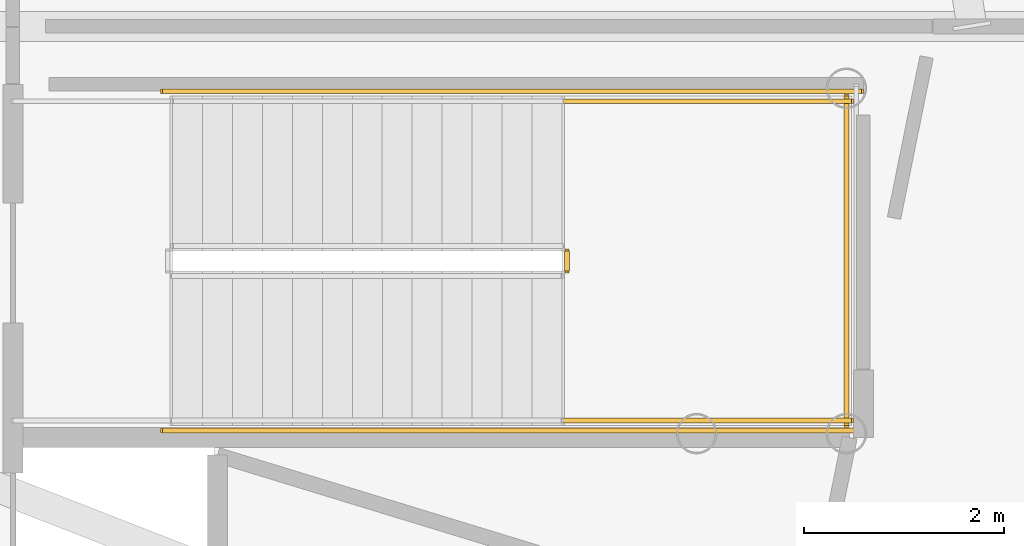
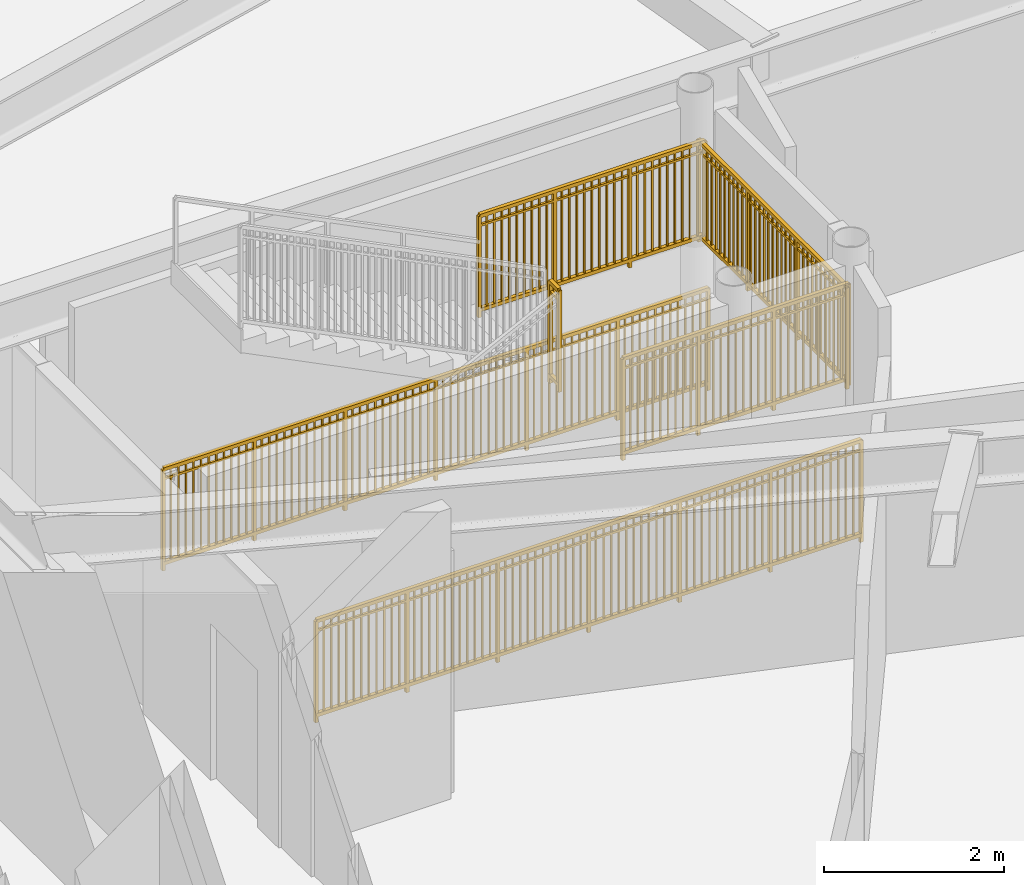
# One storey, part 34 of 35: 6 railings.
"""IFC4 building model written with IfcOpenShell, lengths in metres."""

from ifc_helpers import new_model, si_unit, direction, frame, origin, origin_2d, place, context, subcontext, project, spatial, rectangle, extrude, source, transform, mapped, material, type_object, element, save


model = new_model("IFC4")

# Units and contexts
model_context = context("Model", 3, precision=1e-05, world=origin(), true_north=direction((0.0, 1.0)))
body_context = subcontext(model_context, "Body", "Model", "MODEL_VIEW")
ifc_project = project(units=[si_unit("LENGTHUNIT", "METRE"), si_unit("AREAUNIT", "SQUARE_METRE"), si_unit("VOLUMEUNIT", "CUBIC_METRE"), si_unit("PLANEANGLEUNIT", "RADIAN"), si_unit("MASSUNIT", "GRAM", prefix="KILO")], contexts=[model_context])

# Site, building, storey
site_placement = place(None, origin())
site = spatial("IfcSite", under=ifc_project, at=site_placement, CompositionType="ELEMENT")
building_placement = place(site_placement, origin())
building = spatial("IfcBuilding", under=site, at=building_placement, Name="Linh Dai School and Residence Tower", CompositionType="ELEMENT")
storey_placement = place(building_placement, frame((0.0, 0.0, 49.199951171875)))
storey = spatial("IfcBuildingStorey", under=building, at=storey_placement, Name="L11", CompositionType="ELEMENT", Elevation=49.199951171875)

# Railings
ifc_material = material(Name="Structural Steel S355JR", Category="steel")
railing_type = type_object("IfcRailingType", Name="RL-ST-GUARD-1400", PredefinedType="GUARDRAIL", material=ifc_material)
shared_shape_1 = source(origin(), body_context, "Body", "SweptSolid", [
    extrude(rectangle(XDim=0.048095703125, YDim=0.048095703125, at=origin_2d()), frame((0.0, 0.0, 1.3759765625), z_axis=(0.0, 1.0, 0.0), x_axis=(-1.0, 0.0, 0.0)), (0.0, 0.0, 1.0), 0.199951171875),
    extrude(rectangle(XDim=0.048095703125, YDim=0.048095703125, at=origin_2d()), frame((0.0, 0.0, 0.10009765625), z_axis=(0.0, 1.0, 0.0), x_axis=(-1.0, 0.0, 0.0)), (0.0, 0.0, 1.0), 0.199951171875),
    extrude(rectangle(XDim=0.030029296875, YDim=0.030029296875, at=origin_2d()), frame((0.0, 0.0, 1.239990234375), z_axis=(0.0, 1.0, 0.0), x_axis=(-1.0, 0.0, 0.0)), (0.0, 0.0, 1.0), 0.199951171875),
    extrude(rectangle(XDim=0.0419921875, YDim=0.0419921875, at=origin_2d()), origin(), (0.0, 0.0, 1.0), 1.3759765625),
    extrude(rectangle(XDim=0.0419921875, YDim=0.0419921875, at=origin_2d()), frame((0.0, 0.199951171875, 0.0)), (0.0, 0.0, 1.0), 1.3759765625),
])
railing_1_placement = place(storey_placement, frame((53.550048828125, 24.550048828125, 2.10009765625)))
element("IfcRailing", 1, at=railing_1_placement, inside=storey, type_object=railing_type, Name="L11 STS2 stair guard 2", PredefinedType="GUARDRAIL", context=body_context, shape_type="MappedRepresentation", body=[
    mapped(shared_shape_1, transform((0.0, 0.0, 0.0), x_axis=(1.0, 0.0, 0.0), y_axis=(0.0, 1.0, 0.0), z_axis=(0.0, 0.0, 1.0), scale=1.0)),
])
shared_shape_2 = source(origin(), body_context, "Body", "SweptSolid", [
    extrude(rectangle(XDim=0.048095703125, YDim=0.048095703125, at=origin_2d()), frame((0.0, 0.0, 1.3759765625), z_axis=(0.0, 1.0, 0.0), x_axis=(-1.0, 0.0, 0.0)), (0.0, 0.0, 1.0), 3.300048828125),
    extrude(rectangle(XDim=0.048095703125, YDim=0.048095703125, at=origin_2d()), frame((0.0, 0.0, 0.10009765625), z_axis=(0.0, 1.0, 0.0), x_axis=(-1.0, 0.0, 0.0)), (0.0, 0.0, 1.0), 3.300048828125),
    extrude(rectangle(XDim=0.030029296875, YDim=0.030029296875, at=origin_2d()), frame((0.0, 0.0, 1.239990234375), z_axis=(0.0, 1.0, 0.0), x_axis=(-1.0, 0.0, 0.0)), (0.0, 0.0, 1.0), 3.300048828125),
    extrude(rectangle(XDim=0.02001953125, YDim=0.02001953125, at=origin_2d()), frame((0.0, 0.09716796875, 0.10009765625)), (0.0, 0.0, 1.0), 1.251708984375),
    extrude(rectangle(XDim=0.02001953125, YDim=0.02001953125, at=origin_2d()), frame((0.0, 0.194091796875, 0.10009765625)), (0.0, 0.0, 1.0), 1.251708984375),
    extrude(rectangle(XDim=0.02001953125, YDim=0.02001953125, at=origin_2d()), frame((0.0, 0.291259765625, 0.10009765625)), (0.0, 0.0, 1.0), 1.251708984375),
    extrude(rectangle(XDim=0.02001953125, YDim=0.02001953125, at=origin_2d()), frame((0.0, 0.38818359375, 0.10009765625)), (0.0, 0.0, 1.0), 1.251708984375),
    extrude(rectangle(XDim=0.02001953125, YDim=0.02001953125, at=origin_2d()), frame((0.0, 0.4853515625, 0.10009765625)), (0.0, 0.0, 1.0), 1.251708984375),
    extrude(rectangle(XDim=0.02001953125, YDim=0.02001953125, at=origin_2d()), frame((0.0, 0.582275390625, 0.10009765625)), (0.0, 0.0, 1.0), 1.251708984375),
    extrude(rectangle(XDim=0.02001953125, YDim=0.02001953125, at=origin_2d()), frame((0.0, 0.679443359375, 0.10009765625)), (0.0, 0.0, 1.0), 1.251708984375),
    extrude(rectangle(XDim=0.02001953125, YDim=0.02001953125, at=origin_2d()), frame((0.0, 0.7763671875, 0.10009765625)), (0.0, 0.0, 1.0), 1.251708984375),
    extrude(rectangle(XDim=0.02001953125, YDim=0.02001953125, at=origin_2d()), frame((0.0, 0.87353515625, 0.10009765625)), (0.0, 0.0, 1.0), 1.251708984375),
    extrude(rectangle(XDim=0.02001953125, YDim=0.02001953125, at=origin_2d()), frame((0.0, 0.970703125, 0.10009765625)), (0.0, 0.0, 1.0), 1.251708984375),
    extrude(rectangle(XDim=0.02001953125, YDim=0.02001953125, at=origin_2d()), frame((0.0, 1.164794921875, 0.10009765625)), (0.0, 0.0, 1.0), 1.251708984375),
    extrude(rectangle(XDim=0.02001953125, YDim=0.02001953125, at=origin_2d()), frame((0.0, 1.26171875, 0.10009765625)), (0.0, 0.0, 1.0), 1.251708984375),
    extrude(rectangle(XDim=0.02001953125, YDim=0.02001953125, at=origin_2d()), frame((0.0, 1.35888671875, 0.10009765625)), (0.0, 0.0, 1.0), 1.251708984375),
    extrude(rectangle(XDim=0.02001953125, YDim=0.02001953125, at=origin_2d()), frame((0.0, 1.455810546875, 0.10009765625)), (0.0, 0.0, 1.0), 1.251708984375),
    extrude(rectangle(XDim=0.02001953125, YDim=0.02001953125, at=origin_2d()), frame((0.0, 1.552978515625, 0.10009765625)), (0.0, 0.0, 1.0), 1.251708984375),
    extrude(rectangle(XDim=0.02001953125, YDim=0.02001953125, at=origin_2d()), frame((0.0, 1.64990234375, 0.10009765625)), (0.0, 0.0, 1.0), 1.251708984375),
    extrude(rectangle(XDim=0.02001953125, YDim=0.02001953125, at=origin_2d()), frame((0.0, 1.7470703125, 0.10009765625)), (0.0, 0.0, 1.0), 1.251708984375),
    extrude(rectangle(XDim=0.02001953125, YDim=0.02001953125, at=origin_2d()), frame((0.0, 1.84423828125, 0.10009765625)), (0.0, 0.0, 1.0), 1.251708984375),
    extrude(rectangle(XDim=0.02001953125, YDim=0.02001953125, at=origin_2d()), frame((0.0, 1.941162109375, 0.10009765625)), (0.0, 0.0, 1.0), 1.251708984375),
    extrude(rectangle(XDim=0.02001953125, YDim=0.02001953125, at=origin_2d()), frame((0.0, 2.038330078125, 0.10009765625)), (0.0, 0.0, 1.0), 1.251708984375),
    extrude(rectangle(XDim=0.02001953125, YDim=0.02001953125, at=origin_2d()), frame((0.0, 2.13525390625, 0.10009765625)), (0.0, 0.0, 1.0), 1.251708984375),
    extrude(rectangle(XDim=0.02001953125, YDim=0.02001953125, at=origin_2d()), frame((0.0, 2.329345703125, 0.10009765625)), (0.0, 0.0, 1.0), 1.251708984375),
    extrude(rectangle(XDim=0.02001953125, YDim=0.02001953125, at=origin_2d()), frame((0.0, 2.426513671875, 0.10009765625)), (0.0, 0.0, 1.0), 1.251708984375),
    extrude(rectangle(XDim=0.02001953125, YDim=0.02001953125, at=origin_2d()), frame((0.0, 2.523681640625, 0.10009765625)), (0.0, 0.0, 1.0), 1.251708984375),
    extrude(rectangle(XDim=0.02001953125, YDim=0.02001953125, at=origin_2d()), frame((0.0, 2.62060546875, 0.10009765625)), (0.0, 0.0, 1.0), 1.251708984375),
    extrude(rectangle(XDim=0.02001953125, YDim=0.02001953125, at=origin_2d()), frame((0.0, 2.7177734375, 0.10009765625)), (0.0, 0.0, 1.0), 1.251708984375),
    extrude(rectangle(XDim=0.02001953125, YDim=0.02001953125, at=origin_2d()), frame((0.0, 2.814697265625, 0.10009765625)), (0.0, 0.0, 1.0), 1.251708984375),
    extrude(rectangle(XDim=0.02001953125, YDim=0.02001953125, at=origin_2d()), frame((0.0, 2.911865234375, 0.10009765625)), (0.0, 0.0, 1.0), 1.251708984375),
    extrude(rectangle(XDim=0.02001953125, YDim=0.02001953125, at=origin_2d()), frame((0.0, 3.0087890625, 0.10009765625)), (0.0, 0.0, 1.0), 1.251708984375),
    extrude(rectangle(XDim=0.02001953125, YDim=0.02001953125, at=origin_2d()), frame((0.0, 3.10595703125, 0.10009765625)), (0.0, 0.0, 1.0), 1.251708984375),
    extrude(rectangle(XDim=0.02001953125, YDim=0.02001953125, at=origin_2d()), frame((0.0, 3.202880859375, 0.10009765625)), (0.0, 0.0, 1.0), 1.251708984375),
    extrude(rectangle(XDim=0.0419921875, YDim=0.0419921875, at=origin_2d()), origin(), (0.0, 0.0, 1.0), 1.3759765625),
    extrude(rectangle(XDim=0.0419921875, YDim=0.0419921875, at=origin_2d()), frame((0.0, 1.10009765625, 0.0)), (0.0, 0.0, 1.0), 1.3759765625),
    extrude(rectangle(XDim=0.0419921875, YDim=0.0419921875, at=origin_2d()), frame((0.0, 2.199951171875, 0.0)), (0.0, 0.0, 1.0), 1.3759765625),
    extrude(rectangle(XDim=0.0419921875, YDim=0.0419921875, at=origin_2d()), frame((0.0, 3.300048828125, 0.0)), (0.0, 0.0, 1.0), 1.3759765625),
])
railing_2_placement = place(storey_placement, frame((56.35009765625, 23.0, 2.10009765625)))
element("IfcRailing", 2, at=railing_2_placement, inside=storey, type_object=railing_type, Name="L11 STS2 stair guard 5", PredefinedType="GUARDRAIL", context=body_context, shape_type="MappedRepresentation", body=[
    mapped(shared_shape_2, transform((0.0, 0.0, 0.0), x_axis=(1.0, 0.0, 0.0), y_axis=(0.0, 1.0, 0.0), z_axis=(0.0, 0.0, 1.0), scale=1.0)),
])
shared_shape_3 = source(origin(), body_context, "Body", "SweptSolid", [
    extrude(rectangle(XDim=0.048095703125, YDim=0.048095703125, at=origin_2d()), frame((0.0, 0.0, 1.3759765625), z_axis=(1.0, 0.0, 0.0), x_axis=(0.0, 1.0, 0.0)), (0.0, 0.0, 1.0), 2.89990234375),
    extrude(rectangle(XDim=0.048095703125, YDim=0.048095703125, at=origin_2d()), frame((0.0, 0.0, 0.10009765625), z_axis=(1.0, 0.0, 0.0), x_axis=(0.0, 1.0, 0.0)), (0.0, 0.0, 1.0), 2.89990234375),
    extrude(rectangle(XDim=0.030029296875, YDim=0.030029296875, at=origin_2d()), frame((0.0, 0.0, 1.239990234375), z_axis=(1.0, 0.0, 0.0), x_axis=(0.0, 1.0, 0.0)), (0.0, 0.0, 1.0), 2.89990234375),
    extrude(rectangle(XDim=0.02001953125, YDim=0.02001953125, at=origin_2d()), frame((0.0966796875, 0.0, 0.10009765625)), (0.0, 0.0, 1.0), 1.251708984375),
    extrude(rectangle(XDim=0.02001953125, YDim=0.02001953125, at=origin_2d()), frame((0.193359375, 0.0, 0.10009765625)), (0.0, 0.0, 1.0), 1.251708984375),
    extrude(rectangle(XDim=0.02001953125, YDim=0.02001953125, at=origin_2d()), frame((0.2900390625, 0.0, 0.10009765625)), (0.0, 0.0, 1.0), 1.251708984375),
    extrude(rectangle(XDim=0.02001953125, YDim=0.02001953125, at=origin_2d()), frame((0.38671875, 0.0, 0.10009765625)), (0.0, 0.0, 1.0), 1.251708984375),
    extrude(rectangle(XDim=0.02001953125, YDim=0.02001953125, at=origin_2d()), frame((0.4833984375, 0.0, 0.10009765625)), (0.0, 0.0, 1.0), 1.251708984375),
    extrude(rectangle(XDim=0.02001953125, YDim=0.02001953125, at=origin_2d()), frame((0.580078125, 0.0, 0.10009765625)), (0.0, 0.0, 1.0), 1.251708984375),
    extrude(rectangle(XDim=0.02001953125, YDim=0.02001953125, at=origin_2d()), frame((0.6767578125, 0.0, 0.10009765625)), (0.0, 0.0, 1.0), 1.251708984375),
    extrude(rectangle(XDim=0.02001953125, YDim=0.02001953125, at=origin_2d()), frame((0.773193359375, 0.0, 0.10009765625)), (0.0, 0.0, 1.0), 1.251708984375),
    extrude(rectangle(XDim=0.02001953125, YDim=0.02001953125, at=origin_2d()), frame((0.869873046875, 0.0, 0.10009765625)), (0.0, 0.0, 1.0), 1.251708984375),
    extrude(rectangle(XDim=0.02001953125, YDim=0.02001953125, at=origin_2d()), frame((1.063232421875, 0.0, 0.10009765625)), (0.0, 0.0, 1.0), 1.251708984375),
    extrude(rectangle(XDim=0.02001953125, YDim=0.02001953125, at=origin_2d()), frame((1.159912109375, 0.0, 0.10009765625)), (0.0, 0.0, 1.0), 1.251708984375),
    extrude(rectangle(XDim=0.02001953125, YDim=0.02001953125, at=origin_2d()), frame((1.256591796875, 0.0, 0.10009765625)), (0.0, 0.0, 1.0), 1.251708984375),
    extrude(rectangle(XDim=0.02001953125, YDim=0.02001953125, at=origin_2d()), frame((1.353271484375, 0.0, 0.10009765625)), (0.0, 0.0, 1.0), 1.251708984375),
    extrude(rectangle(XDim=0.02001953125, YDim=0.02001953125, at=origin_2d()), frame((1.449951171875, 0.0, 0.10009765625)), (0.0, 0.0, 1.0), 1.251708984375),
    extrude(rectangle(XDim=0.02001953125, YDim=0.02001953125, at=origin_2d()), frame((1.546630859375, 0.0, 0.10009765625)), (0.0, 0.0, 1.0), 1.251708984375),
    extrude(rectangle(XDim=0.02001953125, YDim=0.02001953125, at=origin_2d()), frame((1.643310546875, 0.0, 0.10009765625)), (0.0, 0.0, 1.0), 1.251708984375),
    extrude(rectangle(XDim=0.02001953125, YDim=0.02001953125, at=origin_2d()), frame((1.739990234375, 0.0, 0.10009765625)), (0.0, 0.0, 1.0), 1.251708984375),
    extrude(rectangle(XDim=0.02001953125, YDim=0.02001953125, at=origin_2d()), frame((1.836669921875, 0.0, 0.10009765625)), (0.0, 0.0, 1.0), 1.251708984375),
    extrude(rectangle(XDim=0.02001953125, YDim=0.02001953125, at=origin_2d()), frame((2.030029296875, 0.0, 0.10009765625)), (0.0, 0.0, 1.0), 1.251708984375),
    extrude(rectangle(XDim=0.02001953125, YDim=0.02001953125, at=origin_2d()), frame((2.126708984375, 0.0, 0.10009765625)), (0.0, 0.0, 1.0), 1.251708984375),
    extrude(rectangle(XDim=0.02001953125, YDim=0.02001953125, at=origin_2d()), frame((2.22314453125, 0.0, 0.10009765625)), (0.0, 0.0, 1.0), 1.251708984375),
    extrude(rectangle(XDim=0.02001953125, YDim=0.02001953125, at=origin_2d()), frame((2.31982421875, 0.0, 0.10009765625)), (0.0, 0.0, 1.0), 1.251708984375),
    extrude(rectangle(XDim=0.02001953125, YDim=0.02001953125, at=origin_2d()), frame((2.41650390625, 0.0, 0.10009765625)), (0.0, 0.0, 1.0), 1.251708984375),
    extrude(rectangle(XDim=0.02001953125, YDim=0.02001953125, at=origin_2d()), frame((2.51318359375, 0.0, 0.10009765625)), (0.0, 0.0, 1.0), 1.251708984375),
    extrude(rectangle(XDim=0.02001953125, YDim=0.02001953125, at=origin_2d()), frame((2.60986328125, 0.0, 0.10009765625)), (0.0, 0.0, 1.0), 1.251708984375),
    extrude(rectangle(XDim=0.02001953125, YDim=0.02001953125, at=origin_2d()), frame((2.70654296875, 0.0, 0.10009765625)), (0.0, 0.0, 1.0), 1.251708984375),
    extrude(rectangle(XDim=0.02001953125, YDim=0.02001953125, at=origin_2d()), frame((2.80322265625, 0.0, 0.10009765625)), (0.0, 0.0, 1.0), 1.251708984375),
    extrude(rectangle(XDim=0.0419921875, YDim=0.0419921875, at=origin_2d()), origin(), (0.0, 0.0, 1.0), 1.3759765625),
    extrude(rectangle(XDim=0.0419921875, YDim=0.0419921875, at=origin_2d()), frame((0.966552734375, 0.0, 0.0)), (0.0, 0.0, 1.0), 1.3759765625),
    extrude(rectangle(XDim=0.0419921875, YDim=0.0419921875, at=origin_2d()), frame((1.933349609375, 0.0, 0.0)), (0.0, 0.0, 1.0), 1.3759765625),
    extrude(rectangle(XDim=0.0419921875, YDim=0.0419921875, at=origin_2d()), frame((2.89990234375, 0.0, 0.0)), (0.0, 0.0, 1.0), 1.3759765625),
])
for number, where, name in (
    (3, (53.5, 23.050048828125, 2.10009765625), "L11 STS2 stair guard 3"),
    (4, (53.5, 26.25, 2.10009765625), "L11 STS2 stair guard 4"),
):
    element("IfcRailing", number, at=place(storey_placement, frame(where)), inside=storey, type_object=railing_type, Name=name, PredefinedType="GUARDRAIL", context=body_context, shape_type="MappedRepresentation", body=[
        mapped(shared_shape_3, transform((0.0, 0.0, 0.0), x_axis=(1.0, 0.0, 0.0), y_axis=(0.0, 1.0, 0.0), z_axis=(0.0, 0.0, 1.0), scale=1.0)),
    ])
shared_shape_4 = source(origin(), body_context, "Body", "SweptSolid", [
    extrude(rectangle(XDim=0.048095703125, YDim=0.048095703125, at=origin_2d()), frame((0.0, 0.0, 1.3759765625), z_axis=(1.0, 0.0, 0.0), x_axis=(0.0, 1.0, 0.0)), (0.0, 0.0, 1.0), 7.0),
    extrude(rectangle(XDim=0.048095703125, YDim=0.048095703125, at=origin_2d()), frame((0.0, 0.0, 0.10009765625), z_axis=(1.0, 0.0, 0.0), x_axis=(0.0, 1.0, 0.0)), (0.0, 0.0, 1.0), 7.0),
    extrude(rectangle(XDim=0.030029296875, YDim=0.030029296875, at=origin_2d()), frame((0.0, 0.0, 1.239990234375), z_axis=(1.0, 0.0, 0.0), x_axis=(0.0, 1.0, 0.0)), (0.0, 0.0, 1.0), 7.0),
    extrude(rectangle(XDim=0.02001953125, YDim=0.02001953125, at=origin_2d()), frame((0.09716796875, 0.0, 0.10009765625)), (0.0, 0.0, 1.0), 1.251708984375),
    extrude(rectangle(XDim=0.02001953125, YDim=0.02001953125, at=origin_2d()), frame((0.1943359375, 0.0, 0.10009765625)), (0.0, 0.0, 1.0), 1.251708984375),
    extrude(rectangle(XDim=0.02001953125, YDim=0.02001953125, at=origin_2d()), frame((0.291748046875, 0.0, 0.10009765625)), (0.0, 0.0, 1.0), 1.251708984375),
    extrude(rectangle(XDim=0.02001953125, YDim=0.02001953125, at=origin_2d()), frame((0.388916015625, 0.0, 0.10009765625)), (0.0, 0.0, 1.0), 1.251708984375),
    extrude(rectangle(XDim=0.02001953125, YDim=0.02001953125, at=origin_2d()), frame((0.486083984375, 0.0, 0.10009765625)), (0.0, 0.0, 1.0), 1.251708984375),
    extrude(rectangle(XDim=0.02001953125, YDim=0.02001953125, at=origin_2d()), frame((0.583251953125, 0.0, 0.10009765625)), (0.0, 0.0, 1.0), 1.251708984375),
    extrude(rectangle(XDim=0.02001953125, YDim=0.02001953125, at=origin_2d()), frame((0.6806640625, 0.0, 0.10009765625)), (0.0, 0.0, 1.0), 1.251708984375),
    extrude(rectangle(XDim=0.02001953125, YDim=0.02001953125, at=origin_2d()), frame((0.77783203125, 0.0, 0.10009765625)), (0.0, 0.0, 1.0), 1.251708984375),
    extrude(rectangle(XDim=0.02001953125, YDim=0.02001953125, at=origin_2d()), frame((0.875, 0.0, 0.10009765625)), (0.0, 0.0, 1.0), 1.251708984375),
    extrude(rectangle(XDim=0.02001953125, YDim=0.02001953125, at=origin_2d()), frame((0.97216796875, 0.0, 0.10009765625)), (0.0, 0.0, 1.0), 1.251708984375),
    extrude(rectangle(XDim=0.02001953125, YDim=0.02001953125, at=origin_2d()), frame((1.0693359375, 0.0, 0.10009765625)), (0.0, 0.0, 1.0), 1.251708984375),
    extrude(rectangle(XDim=0.02001953125, YDim=0.02001953125, at=origin_2d()), frame((1.263916015625, 0.0, 0.10009765625)), (0.0, 0.0, 1.0), 1.251708984375),
    extrude(rectangle(XDim=0.02001953125, YDim=0.02001953125, at=origin_2d()), frame((1.361083984375, 0.0, 0.10009765625)), (0.0, 0.0, 1.0), 1.251708984375),
    extrude(rectangle(XDim=0.02001953125, YDim=0.02001953125, at=origin_2d()), frame((1.458251953125, 0.0, 0.10009765625)), (0.0, 0.0, 1.0), 1.251708984375),
    extrude(rectangle(XDim=0.02001953125, YDim=0.02001953125, at=origin_2d()), frame((1.5556640625, 0.0, 0.10009765625)), (0.0, 0.0, 1.0), 1.251708984375),
    extrude(rectangle(XDim=0.02001953125, YDim=0.02001953125, at=origin_2d()), frame((1.65283203125, 0.0, 0.10009765625)), (0.0, 0.0, 1.0), 1.251708984375),
    extrude(rectangle(XDim=0.02001953125, YDim=0.02001953125, at=origin_2d()), frame((1.75, 0.0, 0.10009765625)), (0.0, 0.0, 1.0), 1.251708984375),
    extrude(rectangle(XDim=0.02001953125, YDim=0.02001953125, at=origin_2d()), frame((1.84716796875, 0.0, 0.10009765625)), (0.0, 0.0, 1.0), 1.251708984375),
    extrude(rectangle(XDim=0.02001953125, YDim=0.02001953125, at=origin_2d()), frame((1.9443359375, 0.0, 0.10009765625)), (0.0, 0.0, 1.0), 1.251708984375),
    extrude(rectangle(XDim=0.02001953125, YDim=0.02001953125, at=origin_2d()), frame((2.041748046875, 0.0, 0.10009765625)), (0.0, 0.0, 1.0), 1.251708984375),
    extrude(rectangle(XDim=0.02001953125, YDim=0.02001953125, at=origin_2d()), frame((2.138916015625, 0.0, 0.10009765625)), (0.0, 0.0, 1.0), 1.251708984375),
    extrude(rectangle(XDim=0.02001953125, YDim=0.02001953125, at=origin_2d()), frame((2.236083984375, 0.0, 0.10009765625)), (0.0, 0.0, 1.0), 1.251708984375),
    extrude(rectangle(XDim=0.02001953125, YDim=0.02001953125, at=origin_2d()), frame((2.4306640625, 0.0, 0.10009765625)), (0.0, 0.0, 1.0), 1.251708984375),
    extrude(rectangle(XDim=0.02001953125, YDim=0.02001953125, at=origin_2d()), frame((2.52783203125, 0.0, 0.10009765625)), (0.0, 0.0, 1.0), 1.251708984375),
    extrude(rectangle(XDim=0.02001953125, YDim=0.02001953125, at=origin_2d()), frame((2.625, 0.0, 0.10009765625)), (0.0, 0.0, 1.0), 1.251708984375),
    extrude(rectangle(XDim=0.02001953125, YDim=0.02001953125, at=origin_2d()), frame((2.72216796875, 0.0, 0.10009765625)), (0.0, 0.0, 1.0), 1.251708984375),
    extrude(rectangle(XDim=0.02001953125, YDim=0.02001953125, at=origin_2d()), frame((2.8193359375, 0.0, 0.10009765625)), (0.0, 0.0, 1.0), 1.251708984375),
    extrude(rectangle(XDim=0.02001953125, YDim=0.02001953125, at=origin_2d()), frame((2.916748046875, 0.0, 0.10009765625)), (0.0, 0.0, 1.0), 1.251708984375),
    extrude(rectangle(XDim=0.02001953125, YDim=0.02001953125, at=origin_2d()), frame((3.013916015625, 0.0, 0.10009765625)), (0.0, 0.0, 1.0), 1.251708984375),
    extrude(rectangle(XDim=0.02001953125, YDim=0.02001953125, at=origin_2d()), frame((3.111083984375, 0.0, 0.10009765625)), (0.0, 0.0, 1.0), 1.251708984375),
    extrude(rectangle(XDim=0.02001953125, YDim=0.02001953125, at=origin_2d()), frame((3.208251953125, 0.0, 0.10009765625)), (0.0, 0.0, 1.0), 1.251708984375),
    extrude(rectangle(XDim=0.02001953125, YDim=0.02001953125, at=origin_2d()), frame((3.3056640625, 0.0, 0.10009765625)), (0.0, 0.0, 1.0), 1.251708984375),
    extrude(rectangle(XDim=0.02001953125, YDim=0.02001953125, at=origin_2d()), frame((3.40283203125, 0.0, 0.10009765625)), (0.0, 0.0, 1.0), 1.251708984375),
    extrude(rectangle(XDim=0.02001953125, YDim=0.02001953125, at=origin_2d()), frame((3.59716796875, 0.0, 0.10009765625)), (0.0, 0.0, 1.0), 1.251708984375),
    extrude(rectangle(XDim=0.02001953125, YDim=0.02001953125, at=origin_2d()), frame((3.6943359375, 0.0, 0.10009765625)), (0.0, 0.0, 1.0), 1.251708984375),
    extrude(rectangle(XDim=0.02001953125, YDim=0.02001953125, at=origin_2d()), frame((3.791748046875, 0.0, 0.10009765625)), (0.0, 0.0, 1.0), 1.251708984375),
    extrude(rectangle(XDim=0.02001953125, YDim=0.02001953125, at=origin_2d()), frame((3.888916015625, 0.0, 0.10009765625)), (0.0, 0.0, 1.0), 1.251708984375),
    extrude(rectangle(XDim=0.02001953125, YDim=0.02001953125, at=origin_2d()), frame((3.986083984375, 0.0, 0.10009765625)), (0.0, 0.0, 1.0), 1.251708984375),
    extrude(rectangle(XDim=0.02001953125, YDim=0.02001953125, at=origin_2d()), frame((4.083251953125, 0.0, 0.10009765625)), (0.0, 0.0, 1.0), 1.251708984375),
    extrude(rectangle(XDim=0.02001953125, YDim=0.02001953125, at=origin_2d()), frame((4.1806640625, 0.0, 0.10009765625)), (0.0, 0.0, 1.0), 1.251708984375),
    extrude(rectangle(XDim=0.02001953125, YDim=0.02001953125, at=origin_2d()), frame((4.27783203125, 0.0, 0.10009765625)), (0.0, 0.0, 1.0), 1.251708984375),
    extrude(rectangle(XDim=0.02001953125, YDim=0.02001953125, at=origin_2d()), frame((4.375, 0.0, 0.10009765625)), (0.0, 0.0, 1.0), 1.251708984375),
    extrude(rectangle(XDim=0.02001953125, YDim=0.02001953125, at=origin_2d()), frame((4.47216796875, 0.0, 0.10009765625)), (0.0, 0.0, 1.0), 1.251708984375),
    extrude(rectangle(XDim=0.02001953125, YDim=0.02001953125, at=origin_2d()), frame((4.5693359375, 0.0, 0.10009765625)), (0.0, 0.0, 1.0), 1.251708984375),
    extrude(rectangle(XDim=0.02001953125, YDim=0.02001953125, at=origin_2d()), frame((4.763916015625, 0.0, 0.10009765625)), (0.0, 0.0, 1.0), 1.251708984375),
    extrude(rectangle(XDim=0.02001953125, YDim=0.02001953125, at=origin_2d()), frame((4.861083984375, 0.0, 0.10009765625)), (0.0, 0.0, 1.0), 1.251708984375),
    extrude(rectangle(XDim=0.02001953125, YDim=0.02001953125, at=origin_2d()), frame((4.958251953125, 0.0, 0.10009765625)), (0.0, 0.0, 1.0), 1.251708984375),
    extrude(rectangle(XDim=0.02001953125, YDim=0.02001953125, at=origin_2d()), frame((5.0556640625, 0.0, 0.10009765625)), (0.0, 0.0, 1.0), 1.251708984375),
    extrude(rectangle(XDim=0.02001953125, YDim=0.02001953125, at=origin_2d()), frame((5.15283203125, 0.0, 0.10009765625)), (0.0, 0.0, 1.0), 1.251708984375),
    extrude(rectangle(XDim=0.02001953125, YDim=0.02001953125, at=origin_2d()), frame((5.25, 0.0, 0.10009765625)), (0.0, 0.0, 1.0), 1.251708984375),
    extrude(rectangle(XDim=0.02001953125, YDim=0.02001953125, at=origin_2d()), frame((5.34716796875, 0.0, 0.10009765625)), (0.0, 0.0, 1.0), 1.251708984375),
    extrude(rectangle(XDim=0.02001953125, YDim=0.02001953125, at=origin_2d()), frame((5.4443359375, 0.0, 0.10009765625)), (0.0, 0.0, 1.0), 1.251708984375),
    extrude(rectangle(XDim=0.02001953125, YDim=0.02001953125, at=origin_2d()), frame((5.541748046875, 0.0, 0.10009765625)), (0.0, 0.0, 1.0), 1.251708984375),
    extrude(rectangle(XDim=0.02001953125, YDim=0.02001953125, at=origin_2d()), frame((5.638916015625, 0.0, 0.10009765625)), (0.0, 0.0, 1.0), 1.251708984375),
    extrude(rectangle(XDim=0.02001953125, YDim=0.02001953125, at=origin_2d()), frame((5.736083984375, 0.0, 0.10009765625)), (0.0, 0.0, 1.0), 1.251708984375),
    extrude(rectangle(XDim=0.02001953125, YDim=0.02001953125, at=origin_2d()), frame((5.9306640625, 0.0, 0.10009765625)), (0.0, 0.0, 1.0), 1.251708984375),
    extrude(rectangle(XDim=0.02001953125, YDim=0.02001953125, at=origin_2d()), frame((6.02783203125, 0.0, 0.10009765625)), (0.0, 0.0, 1.0), 1.251708984375),
    extrude(rectangle(XDim=0.02001953125, YDim=0.02001953125, at=origin_2d()), frame((6.125, 0.0, 0.10009765625)), (0.0, 0.0, 1.0), 1.251708984375),
    extrude(rectangle(XDim=0.02001953125, YDim=0.02001953125, at=origin_2d()), frame((6.22216796875, 0.0, 0.10009765625)), (0.0, 0.0, 1.0), 1.251708984375),
    extrude(rectangle(XDim=0.02001953125, YDim=0.02001953125, at=origin_2d()), frame((6.3193359375, 0.0, 0.10009765625)), (0.0, 0.0, 1.0), 1.251708984375),
    extrude(rectangle(XDim=0.02001953125, YDim=0.02001953125, at=origin_2d()), frame((6.416748046875, 0.0, 0.10009765625)), (0.0, 0.0, 1.0), 1.251708984375),
    extrude(rectangle(XDim=0.02001953125, YDim=0.02001953125, at=origin_2d()), frame((6.513916015625, 0.0, 0.10009765625)), (0.0, 0.0, 1.0), 1.251708984375),
    extrude(rectangle(XDim=0.02001953125, YDim=0.02001953125, at=origin_2d()), frame((6.611083984375, 0.0, 0.10009765625)), (0.0, 0.0, 1.0), 1.251708984375),
    extrude(rectangle(XDim=0.02001953125, YDim=0.02001953125, at=origin_2d()), frame((6.708251953125, 0.0, 0.10009765625)), (0.0, 0.0, 1.0), 1.251708984375),
    extrude(rectangle(XDim=0.02001953125, YDim=0.02001953125, at=origin_2d()), frame((6.8056640625, 0.0, 0.10009765625)), (0.0, 0.0, 1.0), 1.251708984375),
    extrude(rectangle(XDim=0.02001953125, YDim=0.02001953125, at=origin_2d()), frame((6.90283203125, 0.0, 0.10009765625)), (0.0, 0.0, 1.0), 1.251708984375),
    extrude(rectangle(XDim=0.0419921875, YDim=0.0419921875, at=origin_2d()), origin(), (0.0, 0.0, 1.0), 1.3759765625),
    extrude(rectangle(XDim=0.0419921875, YDim=0.0419921875, at=origin_2d()), frame((1.166748046875, 0.0, 0.0)), (0.0, 0.0, 1.0), 1.3759765625),
    extrude(rectangle(XDim=0.0419921875, YDim=0.0419921875, at=origin_2d()), frame((2.333251953125, 0.0, 0.0)), (0.0, 0.0, 1.0), 1.3759765625),
    extrude(rectangle(XDim=0.0419921875, YDim=0.0419921875, at=origin_2d()), frame((3.5, 0.0, 0.0)), (0.0, 0.0, 1.0), 1.3759765625),
    extrude(rectangle(XDim=0.0419921875, YDim=0.0419921875, at=origin_2d()), frame((4.666748046875, 0.0, 0.0)), (0.0, 0.0, 1.0), 1.3759765625),
    extrude(rectangle(XDim=0.0419921875, YDim=0.0419921875, at=origin_2d()), frame((5.833251953125, 0.0, 0.0)), (0.0, 0.0, 1.0), 1.3759765625),
    extrude(rectangle(XDim=0.0419921875, YDim=0.0419921875, at=origin_2d()), frame((7.0, 0.0, 0.0)), (0.0, 0.0, 1.0), 1.3759765625),
])
for number, where, name in (
    (5, (49.5, 22.949951171875, 0.0), "L11 STS2 stair guard 10"),
    (6, (49.5, 26.35009765625, 0.0), "L11 STS2 stair guard 11"),
):
    element("IfcRailing", number, at=place(storey_placement, frame(where)), inside=storey, type_object=railing_type, Name=name, PredefinedType="GUARDRAIL", context=body_context, shape_type="MappedRepresentation", body=[
        mapped(shared_shape_4, transform((0.0, 0.0, 0.0), x_axis=(1.0, 0.0, 0.0), y_axis=(0.0, 1.0, 0.0), z_axis=(0.0, 0.0, 1.0), scale=1.0)),
    ])

save(model, "model.ifc")
